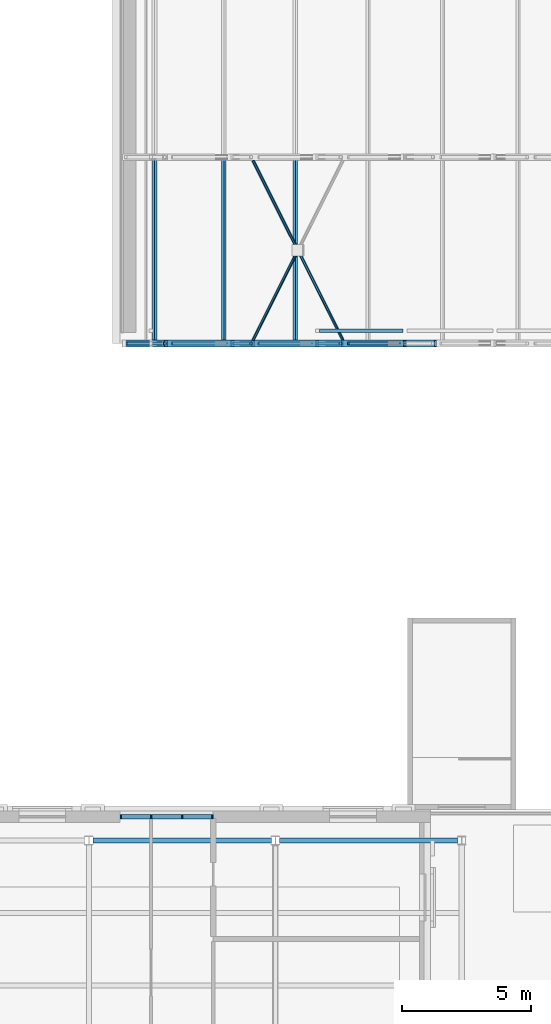
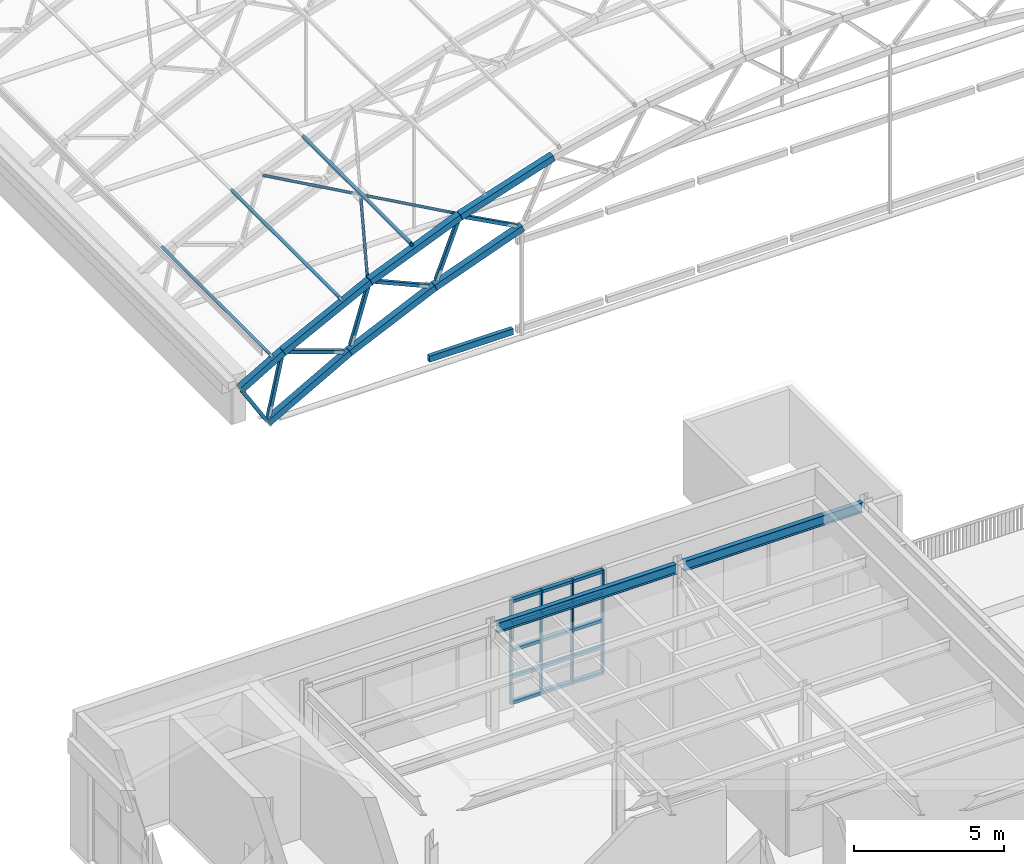
# One storey, part 6 of 127: 38 members, 3 beams, 1 element without a shape of its own.
"""IFC4 building model written with IfcOpenShell, lengths in metres."""

import ifcopenshell
import ifcopenshell.guid

model = None  # the IFC model being written
_history = None  # IfcOwnerHistory: only IFC2X3 demands one
_inside = {}  # id of a spatial element -> (the spatial element, [elements in it])
_under = {}  # id of a project, library or spatial element -> (it, [spatial elements below it])
_declared = {}  # id of a project -> (the project, [libraries it declares])
_typed = {}  # id of a type object -> (the type object, [elements of that type])
_made_of = {}  # id of a material, layer set ... -> (it, [elements and type objects made of it])


def new_model(schema):
    """Start an empty IFC model of exactly this schema.

    Asked for "IFC4X3", IfcOpenShell would pick the latest addendum, in which some entities
    have other attributes; the version numbers below select the first issue.
    IFC2X3 requires an IfcOwnerHistory on every rooted entity: one is made here for all.
    """
    global model, _history
    if schema == "IFC4X3":
        model = ifcopenshell.file(schema_version=(4, 3, 0, 0))
    else:
        model = ifcopenshell.file(schema=schema)
    _inside.clear()
    _under.clear()
    _declared.clear()
    _typed.clear()
    _made_of.clear()
    _history = None
    if model.schema == "IFC2X3":
        org = make("IfcOrganization", Name="unknown")
        user = make(
            "IfcPersonAndOrganization",
            ThePerson=make("IfcPerson", FamilyName="unknown"),
            TheOrganization=org,
        )
        app = make(
            "IfcApplication",
            ApplicationDeveloper=org,
            Version="unknown",
            ApplicationFullName="unknown",
            ApplicationIdentifier="unknown",
        )
        _history = make(
            "IfcOwnerHistory",
            OwningUser=user,
            OwningApplication=app,
            ChangeAction="ADDED",
            CreationDate=0,
        )
    return model


def make(cls, **values):
    """One entity of the class cls with the attributes given. An attribute that is None is left unset."""
    return model.create_entity(
        cls, **{name: value for name, value in values.items() if value is not None}
    )


def rooted(cls, **values):
    """An entity with a GlobalId (a new one), such as an element, a storey or a relation."""
    return make(cls, GlobalId=ifcopenshell.guid.new(), OwnerHistory=_history, **values)


def si_unit(unit_type, name, prefix=None):
    """IfcSIUnit, for example si_unit("LENGTHUNIT", "METRE", prefix="MILLI")."""
    return make("IfcSIUnit", UnitType=unit_type, Prefix=prefix, Name=name)


def assignment(units):
    """IfcUnitAssignment: the units of a project."""
    return None if units is None else make("IfcUnitAssignment", Units=units)


def point(xyz):
    """IfcCartesianPoint."""
    return None if xyz is None else make("IfcCartesianPoint", Coordinates=xyz)


def direction(xyz):
    """IfcDirection."""
    return None if xyz is None else make("IfcDirection", DirectionRatios=xyz)


def frame(location, z_axis=None, x_axis=None):
    """IfcAxis2Placement3D, a coordinate frame: its origin and axes. An axis left out is left unset."""
    return make(
        "IfcAxis2Placement3D",
        Location=point(location),
        Axis=direction(z_axis),
        RefDirection=direction(x_axis),
    )


def frame_2d(location, x_axis=None):
    """IfcAxis2Placement2D, a coordinate frame in the plane: its origin and x axis."""
    return make(
        "IfcAxis2Placement2D", Location=point(location), RefDirection=direction(x_axis)
    )


def origin():
    """The frame at (0, 0, 0) with its axes left unset."""
    return frame((0.0, 0.0, 0.0))


def origin_2d():
    """The frame at (0, 0) in the plane with its x axis left unset."""
    return frame_2d((0.0, 0.0))


def place(relative_to, where):
    """IfcLocalPlacement: puts the frame where relative to a parent placement (None: the world)."""
    return make(
        "IfcLocalPlacement", PlacementRelTo=relative_to, RelativePlacement=where
    )


def context(
    kind, dimensions, precision=None, world=None, true_north=None, identifier=None
):
    """IfcGeometricRepresentationContext, for example the 3D "Model" context."""
    return make(
        "IfcGeometricRepresentationContext",
        ContextIdentifier=identifier,
        ContextType=kind,
        CoordinateSpaceDimension=dimensions,
        Precision=precision,
        WorldCoordinateSystem=world,
        TrueNorth=true_north,
    )


def subcontext(parent, identifier, kind, view, scale=None):
    """IfcGeometricRepresentationSubContext, for example "Body" below "Model"."""
    return make(
        "IfcGeometricRepresentationSubContext",
        ContextIdentifier=identifier,
        ContextType=kind,
        ParentContext=parent,
        TargetScale=scale,
        TargetView=view,
    )


def project(units=None, contexts=None):
    """IfcProject with its units and contexts."""
    return rooted(
        "IfcProject",
        Name="project",
        RepresentationContexts=contexts,
        UnitsInContext=assignment(units),
    )


def spatial(cls, under=None, at=None, **own):
    """A site, building, storey or space (cls), placed at a placement, below another one or the project."""
    s = rooted(cls, ObjectPlacement=at, **own)
    if under is not None:
        _under.setdefault(under.id(), (under, []))[1].append(s)
    return s


def profile(cls, at=None, kind="AREA", **sizes):
    """A parametric profile (cls). Its sizes go by their IFC names, for example OverallWidth=200.0."""
    return make(cls, ProfileType=kind, Position=at, **sizes)


def rectangle(**sizes):
    """IfcRectangleProfileDef."""
    return profile("IfcRectangleProfileDef", **sizes)


def hollow_rectangle(**sizes):
    """IfcRectangleHollowProfileDef."""
    return profile("IfcRectangleHollowProfileDef", **sizes)


def hollow_circle(**sizes):
    """IfcCircleHollowProfileDef."""
    return profile("IfcCircleHollowProfileDef", **sizes)


def i_section(**sizes):
    """IfcIShapeProfileDef."""
    return profile("IfcIShapeProfileDef", **sizes)


def extrude(swept, where, along, depth):
    """IfcExtrudedAreaSolid: the profile swept, set in the frame where, extruded along a direction by depth."""
    return make(
        "IfcExtrudedAreaSolid",
        SweptArea=swept,
        Position=where,
        ExtrudedDirection=direction(along),
        Depth=depth,
    )


def shape(context_of_items, identifier, shape_type, items):
    """IfcShapeRepresentation: the items that make up one representation, for example the "Body"."""
    return make(
        "IfcShapeRepresentation",
        ContextOfItems=context_of_items,
        RepresentationIdentifier=identifier,
        RepresentationType=shape_type,
        Items=items,
    )


def material(Name=None, Category=None):
    """IfcMaterial."""
    return make("IfcMaterial", Name=Name, Category=Category)


def layer(
    of_material, thickness, ventilated=None, Name=None, Category=None, Priority=None
):
    """IfcMaterialLayer: one layer of a wall or slab, of a material (None: an air gap)."""
    return make(
        "IfcMaterialLayer",
        Material=of_material,
        LayerThickness=thickness,
        IsVentilated=ventilated,
        Name=Name,
        Category=Category,
        Priority=Priority,
    )


def layer_set(layers, Name=None):
    """IfcMaterialLayerSet."""
    return make("IfcMaterialLayerSet", MaterialLayers=layers, LayerSetName=Name)


def material_profile(
    of_material, cross_section, Name=None, Category=None, Priority=None
):
    """IfcMaterialProfile: a cross section and its material."""
    return make(
        "IfcMaterialProfile",
        Name=Name,
        Material=of_material,
        Profile=cross_section,
        Priority=Priority,
        Category=Category,
    )


def profile_set(profiles, Name=None, composite=None):
    """IfcMaterialProfileSet."""
    return make(
        "IfcMaterialProfileSet",
        Name=Name,
        MaterialProfiles=profiles,
        CompositeProfile=composite,
    )


def made_of(thing, what):
    """Note that an element or type object is made of a material, layer set ...; save() writes the relation."""
    if what is not None:
        _made_of.setdefault(what.id(), (what, []))[1].append(thing)
    return thing


def type_object(cls, material=None, **own):
    """A type object (cls), such as IfcWallType, which elements share."""
    return made_of(rooted(cls, **own), material)


def element(
    cls,
    number,
    at=None,
    inside=None,
    cuts=None,
    type_object=None,
    material=None,
    context=None,
    identifier="Body",
    shape_type=None,
    held_by="IfcProductDefinitionShape",
    body=None,
    shapes=None,
    **own,
):
    """One element of the class cls, such as IfcWall. Its Tag is "e" and its number.

    at: its placement. inside: the storey or other place that contains it. cuts: it is an
    opening in that element (IfcRelVoidsElement). A single representation is given by context,
    identifier, shape_type and body (its items); several are given by shapes. held_by: the class
    of the entity that holds the representations. save() writes the other relations.
    """
    e = rooted(cls, Tag="e%d" % number, ObjectPlacement=at, **own)
    if body is not None:
        shapes = [shape(context, identifier, shape_type, body)]
    if shapes is not None:
        e.Representation = make(held_by, Representations=shapes)
    if inside is not None:
        _inside.setdefault(inside.id(), (inside, []))[1].append(e)
    if cuts is not None:
        rooted(
            "IfcRelVoidsElement", RelatingBuildingElement=cuts, RelatedOpeningElement=e
        )
    if type_object is not None:
        _typed.setdefault(type_object.id(), (type_object, []))[1].append(e)
    return made_of(e, material)


def aggregate(whole, parts):
    """IfcRelAggregates: a whole, such as a stair, and the parts it consists of."""
    return rooted("IfcRelAggregates", RelatingObject=whole, RelatedObjects=parts)


def save(model, path):
    """Write the relations noted so far, then the file.

    IfcRelAggregates (storeys below a building ...), IfcRelContainedInSpatialStructure (elements
    in a storey), IfcRelDefinesByType, IfcRelAssociatesMaterial and IfcRelDeclares: one each for
    every whole, place, type object, material and project.
    """
    for whole, parts in _under.values():
        aggregate(whole, parts)
    for where, things in _inside.values():
        rooted(
            "IfcRelContainedInSpatialStructure",
            RelatedElements=things,
            RelatingStructure=where,
        )
    for kind, things in _typed.values():
        rooted("IfcRelDefinesByType", RelatedObjects=things, RelatingType=kind)
    for what, things in _made_of.values():
        rooted("IfcRelAssociatesMaterial", RelatedObjects=things, RelatingMaterial=what)
    for by, libraries in _declared.values():
        rooted("IfcRelDeclares", RelatingContext=by, RelatedDefinitions=libraries)
    model.write(path)


model = new_model("IFC4")

# Units and contexts
model_context = context("Model", 3, precision=1e-05, world=origin(), true_north=direction((0.0, 1.0)))
body_context = subcontext(model_context, "Body", "Model", "MODEL_VIEW")
ifc_project = project(units=[si_unit("LENGTHUNIT", "METRE"), si_unit("AREAUNIT", "SQUARE_METRE"), si_unit("VOLUMEUNIT", "CUBIC_METRE"), si_unit("PLANEANGLEUNIT", "RADIAN"), si_unit("MASSUNIT", "GRAM", prefix="KILO")], contexts=[model_context])

# Site, building, storey
site_placement = place(None, origin())
site = spatial("IfcSite", under=ifc_project, at=site_placement, CompositionType="ELEMENT")
building_placement = place(site_placement, origin())
building = spatial("IfcBuilding", under=site, at=building_placement, Name="Verrick Yard Athletic Hall", CompositionType="ELEMENT")
storey_placement = place(building_placement, frame((0.0, 0.0, 14.0)))
storey = spatial("IfcBuildingStorey", under=building, at=storey_placement, Name="L03", CompositionType="ELEMENT", Elevation=14.0)

# Curtain wall, members
ifc_material_1 = material(Name="Anodised aluminium", Category="aluminium")
ifc_layer = layer(ifc_material_1, 0.199951171875)
ifc_layer_set = layer_set([ifc_layer], Name="Front glazing")
curtain_wall_type = type_object("IfcCurtainWallType", Name="Front glazing", PredefinedType="NOTDEFINED", material=ifc_layer_set)
curtain_wall_placement = place(storey_placement, origin())
curtain_wall = element("IfcCurtainWall", 1, at=curtain_wall_placement, inside=storey, type_object=curtain_wall_type, Name="ENVB-WN-L03-CW268", PredefinedType="NOTDEFINED")
ifc_material_profile_1 = material_profile(ifc_material_1, rectangle(XDim=0.159912109375, YDim=0.06005859375, at=origin_2d()), Name="CW mullion 60x160")
ifc_profile_set_1 = profile_set([ifc_material_profile_1], Name="Anodised aluminium")
member_type_1 = type_object("IfcMemberType", Name="Front glazing mullion 60x160", PredefinedType="MULLION", material=ifc_profile_set_1)
member_1_placement = place(storey_placement, frame((26.830078125, 53.71875, 0.0), z_axis=(0.0, 0.0, 1.0), x_axis=(0.0, 1.0, 0.0)))
member_1 = element("IfcMember", 2, at=member_1_placement, type_object=member_type_1, Name="ENVB-WN-L03-CW268/M00", PredefinedType="MULLION", context=body_context, shape_type="SweptSolid", body=[
    extrude(rectangle(XDim=0.159912109375, YDim=0.06005859375, at=origin_2d()), origin(), (0.0, 0.0, 1.0), 4.25),
])
member_2_placement = place(storey_placement, frame((28.0, 53.71875, 0.0), z_axis=(0.0, 0.0, 1.0), x_axis=(0.0, 1.0, 0.0)))
member_2 = element("IfcMember", 3, at=member_2_placement, type_object=member_type_1, Name="ENVB-WN-L03-CW268/M01", PredefinedType="MULLION", context=body_context, shape_type="SweptSolid", body=[
    extrude(rectangle(XDim=0.159912109375, YDim=0.06005859375, at=origin_2d()), origin(), (0.0, 0.0, 1.0), 4.25),
])
member_3_placement = place(storey_placement, frame((29.199951171875, 53.71875, 0.0), z_axis=(0.0, 0.0, 1.0), x_axis=(0.0, 1.0, 0.0)))
member_3 = element("IfcMember", 4, at=member_3_placement, type_object=member_type_1, Name="ENVB-WN-L03-CW268/M02", PredefinedType="MULLION", context=body_context, shape_type="SweptSolid", body=[
    extrude(rectangle(XDim=0.159912109375, YDim=0.06005859375, at=origin_2d()), origin(), (0.0, 0.0, 1.0), 4.25),
])
member_4_placement = place(storey_placement, frame((30.3701171875, 53.71875, 0.0), z_axis=(0.0, 0.0, 1.0), x_axis=(0.0, 1.0, 0.0)))
member_4 = element("IfcMember", 5, at=member_4_placement, type_object=member_type_1, Name="ENVB-WN-L03-CW268/M03", PredefinedType="MULLION", context=body_context, shape_type="SweptSolid", body=[
    extrude(rectangle(XDim=0.159912109375, YDim=0.06005859375, at=origin_2d()), origin(), (0.0, 0.0, 1.0), 4.25),
])
ifc_material_profile_2 = material_profile(ifc_material_1, rectangle(XDim=0.159912109375, YDim=0.1201171875, at=origin_2d()), Name="CW transom 160x120")
ifc_profile_set_2 = profile_set([ifc_material_profile_2], Name="Anodised aluminium")
member_type_2 = type_object("IfcMemberType", Name="Front glazing transom 160x120", PredefinedType="USERDEFINED", material=ifc_profile_set_2)
member_5_placement = place(storey_placement, frame((26.860107421875, 53.71875, 0.06005859375), z_axis=(1.0, 0.0, 0.0), x_axis=(0.0, 1.0, 0.0)))
member_5 = element("IfcMember", 6, at=member_5_placement, type_object=member_type_2, Name="ENVB-WN-L03-CW268/T00-00", ObjectType="TRANSOM", PredefinedType="USERDEFINED", context=body_context, shape_type="SweptSolid", body=[
    extrude(rectangle(XDim=0.159912109375, YDim=0.1201171875, at=origin_2d()), origin(), (0.0, 0.0, 1.0), 1.10986328125),
])
member_6_placement = place(storey_placement, frame((26.860107421875, 53.71875, 1.10009765625), z_axis=(1.0, 0.0, 0.0), x_axis=(0.0, 1.0, 0.0)))
member_6 = element("IfcMember", 7, at=member_6_placement, type_object=member_type_2, Name="ENVB-WN-L03-CW268/T00-01", ObjectType="TRANSOM", PredefinedType="USERDEFINED", context=body_context, shape_type="SweptSolid", body=[
    extrude(rectangle(XDim=0.159912109375, YDim=0.1201171875, at=origin_2d()), origin(), (0.0, 0.0, 1.0), 1.10986328125),
])
member_7_placement = place(storey_placement, frame((26.860107421875, 53.71875, 2.199951171875), z_axis=(1.0, 0.0, 0.0), x_axis=(0.0, 1.0, 0.0)))
member_7 = element("IfcMember", 8, at=member_7_placement, type_object=member_type_2, Name="ENVB-WN-L03-CW268/T00-02", ObjectType="TRANSOM", PredefinedType="USERDEFINED", context=body_context, shape_type="SweptSolid", body=[
    extrude(rectangle(XDim=0.159912109375, YDim=0.1201171875, at=origin_2d()), origin(), (0.0, 0.0, 1.0), 1.10986328125),
])
member_8_placement = place(storey_placement, frame((26.860107421875, 53.71875, 3.300048828125), z_axis=(1.0, 0.0, 0.0), x_axis=(0.0, 1.0, 0.0)))
member_8 = element("IfcMember", 9, at=member_8_placement, type_object=member_type_2, Name="ENVB-WN-L03-CW268/T00-03", ObjectType="TRANSOM", PredefinedType="USERDEFINED", context=body_context, shape_type="SweptSolid", body=[
    extrude(rectangle(XDim=0.159912109375, YDim=0.1201171875, at=origin_2d()), origin(), (0.0, 0.0, 1.0), 1.10986328125),
])
member_9_placement = place(storey_placement, frame((26.860107421875, 53.71875, 4.18994140625), z_axis=(1.0, 0.0, 0.0), x_axis=(0.0, 1.0, 0.0)))
member_9 = element("IfcMember", 10, at=member_9_placement, type_object=member_type_2, Name="ENVB-WN-L03-CW268/T00-04", ObjectType="TRANSOM", PredefinedType="USERDEFINED", context=body_context, shape_type="SweptSolid", body=[
    extrude(rectangle(XDim=0.159912109375, YDim=0.1201171875, at=origin_2d()), origin(), (0.0, 0.0, 1.0), 1.10986328125),
])
member_10_placement = place(storey_placement, frame((28.030029296875, 53.71875, 0.06005859375), z_axis=(1.0, 0.0, 0.0), x_axis=(0.0, 1.0, 0.0)))
member_10 = element("IfcMember", 11, at=member_10_placement, type_object=member_type_2, Name="ENVB-WN-L03-CW268/T01-00", ObjectType="TRANSOM", PredefinedType="USERDEFINED", context=body_context, shape_type="SweptSolid", body=[
    extrude(rectangle(XDim=0.159912109375, YDim=0.1201171875, at=origin_2d()), origin(), (0.0, 0.0, 1.0), 1.139892578125),
])
member_11_placement = place(storey_placement, frame((28.030029296875, 53.71875, 1.10009765625), z_axis=(1.0, 0.0, 0.0), x_axis=(0.0, 1.0, 0.0)))
member_11 = element("IfcMember", 12, at=member_11_placement, type_object=member_type_2, Name="ENVB-WN-L03-CW268/T01-01", ObjectType="TRANSOM", PredefinedType="USERDEFINED", context=body_context, shape_type="SweptSolid", body=[
    extrude(rectangle(XDim=0.159912109375, YDim=0.1201171875, at=origin_2d()), origin(), (0.0, 0.0, 1.0), 1.139892578125),
])
member_12_placement = place(storey_placement, frame((28.030029296875, 53.71875, 2.199951171875), z_axis=(1.0, 0.0, 0.0), x_axis=(0.0, 1.0, 0.0)))
member_12 = element("IfcMember", 13, at=member_12_placement, type_object=member_type_2, Name="ENVB-WN-L03-CW268/T01-02", ObjectType="TRANSOM", PredefinedType="USERDEFINED", context=body_context, shape_type="SweptSolid", body=[
    extrude(rectangle(XDim=0.159912109375, YDim=0.1201171875, at=origin_2d()), origin(), (0.0, 0.0, 1.0), 1.139892578125),
])
member_13_placement = place(storey_placement, frame((28.030029296875, 53.71875, 3.300048828125), z_axis=(1.0, 0.0, 0.0), x_axis=(0.0, 1.0, 0.0)))
member_13 = element("IfcMember", 14, at=member_13_placement, type_object=member_type_2, Name="ENVB-WN-L03-CW268/T01-03", ObjectType="TRANSOM", PredefinedType="USERDEFINED", context=body_context, shape_type="SweptSolid", body=[
    extrude(rectangle(XDim=0.159912109375, YDim=0.1201171875, at=origin_2d()), origin(), (0.0, 0.0, 1.0), 1.139892578125),
])
member_14_placement = place(storey_placement, frame((28.030029296875, 53.71875, 4.18994140625), z_axis=(1.0, 0.0, 0.0), x_axis=(0.0, 1.0, 0.0)))
member_14 = element("IfcMember", 15, at=member_14_placement, type_object=member_type_2, Name="ENVB-WN-L03-CW268/T01-04", ObjectType="TRANSOM", PredefinedType="USERDEFINED", context=body_context, shape_type="SweptSolid", body=[
    extrude(rectangle(XDim=0.159912109375, YDim=0.1201171875, at=origin_2d()), origin(), (0.0, 0.0, 1.0), 1.139892578125),
])
member_15_placement = place(storey_placement, frame((29.22998046875, 53.71875, 0.06005859375), z_axis=(1.0, 0.0, 0.0), x_axis=(0.0, 1.0, 0.0)))
member_15 = element("IfcMember", 16, at=member_15_placement, type_object=member_type_2, Name="ENVB-WN-L03-CW268/T02-00", ObjectType="TRANSOM", PredefinedType="USERDEFINED", context=body_context, shape_type="SweptSolid", body=[
    extrude(rectangle(XDim=0.159912109375, YDim=0.1201171875, at=origin_2d()), origin(), (0.0, 0.0, 1.0), 1.110107421875),
])
member_16_placement = place(storey_placement, frame((29.22998046875, 53.71875, 1.10009765625), z_axis=(1.0, 0.0, 0.0), x_axis=(0.0, 1.0, 0.0)))
member_16 = element("IfcMember", 17, at=member_16_placement, type_object=member_type_2, Name="ENVB-WN-L03-CW268/T02-01", ObjectType="TRANSOM", PredefinedType="USERDEFINED", context=body_context, shape_type="SweptSolid", body=[
    extrude(rectangle(XDim=0.159912109375, YDim=0.1201171875, at=origin_2d()), origin(), (0.0, 0.0, 1.0), 1.110107421875),
])
member_17_placement = place(storey_placement, frame((29.22998046875, 53.71875, 2.199951171875), z_axis=(1.0, 0.0, 0.0), x_axis=(0.0, 1.0, 0.0)))
member_17 = element("IfcMember", 18, at=member_17_placement, type_object=member_type_2, Name="ENVB-WN-L03-CW268/T02-02", ObjectType="TRANSOM", PredefinedType="USERDEFINED", context=body_context, shape_type="SweptSolid", body=[
    extrude(rectangle(XDim=0.159912109375, YDim=0.1201171875, at=origin_2d()), origin(), (0.0, 0.0, 1.0), 1.110107421875),
])
member_18_placement = place(storey_placement, frame((29.22998046875, 53.71875, 3.300048828125), z_axis=(1.0, 0.0, 0.0), x_axis=(0.0, 1.0, 0.0)))
member_18 = element("IfcMember", 19, at=member_18_placement, type_object=member_type_2, Name="ENVB-WN-L03-CW268/T02-03", ObjectType="TRANSOM", PredefinedType="USERDEFINED", context=body_context, shape_type="SweptSolid", body=[
    extrude(rectangle(XDim=0.159912109375, YDim=0.1201171875, at=origin_2d()), origin(), (0.0, 0.0, 1.0), 1.110107421875),
])
member_19_placement = place(storey_placement, frame((29.22998046875, 53.71875, 4.18994140625), z_axis=(1.0, 0.0, 0.0), x_axis=(0.0, 1.0, 0.0)))
member_19 = element("IfcMember", 20, at=member_19_placement, type_object=member_type_2, Name="ENVB-WN-L03-CW268/T02-04", ObjectType="TRANSOM", PredefinedType="USERDEFINED", context=body_context, shape_type="SweptSolid", body=[
    extrude(rectangle(XDim=0.159912109375, YDim=0.1201171875, at=origin_2d()), origin(), (0.0, 0.0, 1.0), 1.110107421875),
])
aggregate(curtain_wall, [member_1, member_2, member_3, member_4, member_5, member_6, member_7, member_8, member_9, member_10, member_11, member_12, member_13, member_14, member_15, member_16, member_17, member_18, member_19])

# Members
ifc_material_2 = material(Name="Structural steel HSS Class C 350W (CSA G40.20/G40.21)", Category="steel")
ifc_material_profile_3 = material_profile(ifc_material_2, hollow_rectangle(XDim=0.25390625, YDim=0.25390625, WallThickness=0.009521484375, at=origin_2d()), Name="HSS254x254x9.5")
ifc_profile_set_3 = profile_set([ifc_material_profile_3], Name="Structural steel HSS Class C 350W (CSA G40.20/G40.21)")
member_type_3 = type_object("IfcMemberType", Name="HB bottom chord HSS254x254x9.5", PredefinedType="CHORD", material=ifc_profile_set_3)
member_20_placement = place(storey_placement, frame((28.0, 72.0, 0.0), z_axis=(0.872881488331, 0.0, 0.4879322774), x_axis=(0.0, 1.0, 0.0)))
element("IfcMember", 21, at=member_20_placement, inside=storey, type_object=member_type_3, Name="Truss TB1 bottom chord 1", PredefinedType="CHORD", context=body_context, shape_type="SweptSolid", body=[
    extrude(hollow_rectangle(XDim=0.25390625, YDim=0.25390625, WallThickness=0.009521484375, at=origin_2d()), origin(), (0.0, 0.0, 1.0), 3.60107421875),
])
member_21_placement = place(storey_placement, frame((31.15234375, 72.0, 1.761474609375), z_axis=(0.908445597889, 0.0, 0.418003104865), x_axis=(0.0, 1.0, 0.0)))
element("IfcMember", 22, at=member_21_placement, inside=storey, type_object=member_type_3, Name="Truss TB1 bottom chord 2", PredefinedType="CHORD", context=body_context, shape_type="SweptSolid", body=[
    extrude(hollow_rectangle(XDim=0.25390625, YDim=0.25390625, WallThickness=0.009521484375, at=origin_2d()), origin(), (0.0, 0.0, 1.0), 3.59619140625),
])
member_22_placement = place(storey_placement, frame((34.42822265625, 72.0, 3.2685546875), z_axis=(0.938394107905, 0.0, 0.345566922966), x_axis=(0.0, 1.0, 0.0)))
element("IfcMember", 23, at=member_22_placement, inside=storey, type_object=member_type_3, Name="Truss TB1 bottom chord 3", PredefinedType="CHORD", context=body_context, shape_type="SweptSolid", body=[
    extrude(hollow_rectangle(XDim=0.25390625, YDim=0.25390625, WallThickness=0.009521484375, at=origin_2d()), origin(), (0.0, 0.0, 1.0), 3.595947265625),
])
ifc_material_profile_4 = material_profile(ifc_material_2, hollow_rectangle(XDim=0.1015625, YDim=0.203125, WallThickness=0.009521484375, at=origin_2d()), Name="HSS203x102x9.5")
ifc_profile_set_4 = profile_set([ifc_material_profile_4], Name="Structural steel HSS Class C 350W (CSA G40.20/G40.21)")
member_type_4 = type_object("IfcMemberType", Name="HB purlin HSS203x102x9.5", PredefinedType="PURLIN", material=ifc_profile_set_4)
for number, where, z_axis, x_axis, name in (
    (24, (28.1357421875, 72.0, 2.660888671875), (0.0, 1.0, 0.0), (-0.86316809178, 0.0, -0.504916671673), "HB-PU-B-1-1"),
    (25, (30.81103515625, 72.0, 4.046875), (0.0, 1.0, 0.0), (-0.891352741199, 0.0, -0.453310369126), "HB-PU-B-1-2"),
    (26, (33.56201171875, 72.0, 5.2822265625), (0.0, 1.0, 0.0), (-0.924122791552, 0.0, -0.382095624331), "HB-PU-B-1-3"),
):
    element("IfcMember", number, at=place(storey_placement, frame(where, z_axis=z_axis, x_axis=x_axis)), inside=storey, type_object=member_type_4, Name=name, PredefinedType="PURLIN", context=body_context, shape_type="SweptSolid", body=[
        extrude(hollow_rectangle(XDim=0.1015625, YDim=0.203125, WallThickness=0.009521484375, at=origin_2d()), origin(), (0.0, 0.0, 1.0), 7.199951171875),
    ])
ifc_material_profile_5 = material_profile(ifc_material_2, hollow_circle(Radius=0.05712890625, WallThickness=0.00634765625, at=origin_2d()), Name="HSS114x6.4")
ifc_profile_set_5 = profile_set([ifc_material_profile_5], Name="Structural steel HSS Class C 350W (CSA G40.20/G40.21)")
member_type_5 = type_object("IfcMemberType", Name="HB roof brace HSS114x6.4", PredefinedType="BRACE", material=ifc_profile_set_5)
member_23_placement = place(storey_placement, frame((31.934814453125, 72.126953125, 4.362060546875), z_axis=(0.440150503414, 0.879284932949, 0.182004233557), x_axis=(-0.894220428922, 0.447626880894, 0.0)))
element("IfcMember", 27, at=member_23_placement, inside=storey, type_object=member_type_5, Name="HB-BR-B-1-1b1", PredefinedType="BRACE", context=body_context, shape_type="SweptSolid", body=[
    extrude(hollow_circle(Radius=0.05712890625, WallThickness=0.00634765625, at=origin_2d()), origin(), (0.0, 0.0, 1.0), 3.844482421875),
])
member_24_placement = place(storey_placement, frame((35.412109375, 72.126953125, 5.7998046875), z_axis=(-0.440177215443, 0.87927276252, -0.181998428824), x_axis=(-0.894207074699, -0.447653557518, 0.0)))
element("IfcMember", 28, at=member_24_placement, inside=storey, type_object=member_type_5, Name="HB-BR-B-1-1a", PredefinedType="BRACE", context=body_context, shape_type="SweptSolid", body=[
    extrude(hollow_circle(Radius=0.05712890625, WallThickness=0.00634765625, at=origin_2d()), origin(), (0.0, 0.0, 1.0), 7.899658203125),
])
ifc_material_profile_6 = material_profile(ifc_material_2, hollow_rectangle(XDim=0.25390625, YDim=0.25390625, WallThickness=0.009521484375, at=origin_2d()), Name="HSS254x254x9.5")
ifc_profile_set_6 = profile_set([ifc_material_profile_6], Name="Structural steel HSS Class C 350W (CSA G40.20/G40.21)")
member_type_6 = type_object("IfcMemberType", Name="HB top chord HSS254x254x9.5", PredefinedType="CHORD", material=ifc_profile_set_6)
member_25_placement = place(storey_placement, frame((26.95654296875, 72.0, 1.706298828125), z_axis=(0.863174775639, 0.0, 0.504905245269), x_axis=(0.0, 1.0, 0.0)))
element("IfcMember", 29, at=member_25_placement, inside=storey, type_object=member_type_6, Name="Truss TB1 top chord 1", PredefinedType="CHORD", context=body_context, shape_type="SweptSolid", body=[
    extrude(hollow_rectangle(XDim=0.25390625, YDim=0.25390625, WallThickness=0.009521484375, at=origin_2d()), origin(), (0.0, 0.0, 1.0), 1.878173828125),
])
member_26_placement = place(storey_placement, frame((28.584228515625, 72.0, 2.657958984375), z_axis=(0.891336584454, 0.0, 0.453342137037), x_axis=(0.0, 1.0, 0.0)))
element("IfcMember", 30, at=member_26_placement, inside=storey, type_object=member_type_6, Name="Truss TB1 top chord 2", PredefinedType="CHORD", context=body_context, shape_type="SweptSolid", body=[
    extrude(hollow_rectangle(XDim=0.25390625, YDim=0.25390625, WallThickness=0.009521484375, at=origin_2d()), origin(), (0.0, 0.0, 1.0), 3.754150390625),
])
for number, where, z_axis, x_axis, name in (
    (31, (31.939453125, 72.0, 4.364013671875), (0.924130129149, 0.0, 0.382077877402), (0.0, 1.0, 0.0), "Truss TB1 top chord 3"),
    (32, (35.4169921875, 72.0, 5.80126953125), (0.951202693453, 0.0, 0.308566744754), (0.0, 1.0, 0.0), "Truss TB1 top chord 4"),
):
    element("IfcMember", number, at=place(storey_placement, frame(where, z_axis=z_axis, x_axis=x_axis)), inside=storey, type_object=member_type_6, Name=name, PredefinedType="CHORD", context=body_context, shape_type="SweptSolid", body=[
        extrude(hollow_rectangle(XDim=0.25390625, YDim=0.25390625, WallThickness=0.009521484375, at=origin_2d()), origin(), (0.0, 0.0, 1.0), 3.752685546875),
    ])
ifc_material_profile_7 = material_profile(ifc_material_2, hollow_rectangle(XDim=0.126953125, YDim=0.126953125, WallThickness=0.009521484375, at=origin_2d()), Name="HSS127x127x9.5")
ifc_profile_set_7 = profile_set([ifc_material_profile_7], Name="Structural steel HSS Class C 350W (CSA G40.20/G40.21)")
member_type_7 = type_object("IfcMemberType", Name="HB truss end post HSS127x127x9.5", PredefinedType="POST", material=ifc_profile_set_7)
member_27_placement = place(storey_placement, frame((27.932373046875, 72.0, 0.110595703125), z_axis=(-0.521773101112, 0.0, 0.853084304718), x_axis=(0.0, -1.0, 0.0)))
element("IfcMember", 33, at=member_27_placement, inside=storey, type_object=member_type_7, Name="Truss TB1 end post 1", PredefinedType="POST", context=body_context, shape_type="SweptSolid", body=[
    extrude(hollow_rectangle(XDim=0.126953125, YDim=0.126953125, WallThickness=0.009521484375, at=origin_2d()), origin(), (0.0, 0.0, 1.0), 1.741943359375),
])
ifc_material_profile_8 = material_profile(ifc_material_2, hollow_rectangle(XDim=0.126953125, YDim=0.126953125, WallThickness=0.009521484375, at=origin_2d()), Name="HSS127x127x9.5")
ifc_profile_set_8 = profile_set([ifc_material_profile_8], Name="Structural steel HSS Class C 350W (CSA G40.20/G40.21)")
member_type_8 = type_object("IfcMemberType", Name="HB truss web HSS127x127x9.5", PredefinedType="BRACE", material=ifc_profile_set_8)
member_28_placement = place(storey_placement, frame((28.04833984375, 72.0, 0.220703125), z_axis=(0.213603528569, 0.0, 0.976920433087), x_axis=(0.0, 1.0, 0.0)))
element("IfcMember", 34, at=member_28_placement, inside=storey, type_object=member_type_8, Name="Truss end diagonal TB1-1", PredefinedType="BRACE", context=body_context, shape_type="SweptSolid", body=[
    extrude(hollow_rectangle(XDim=0.126953125, YDim=0.126953125, WallThickness=0.009521484375, at=origin_2d()), origin(), (0.0, 0.0, 1.0), 2.261962890625),
])
member_29_placement = place(storey_placement, frame((28.804443359375, 72.0, 2.578369140625), z_axis=(0.944015035532, 0.0, -0.329902429045), x_axis=(0.0, 1.0, 0.0)))
element("IfcMember", 35, at=member_29_placement, inside=storey, type_object=member_type_8, Name="Truss TB1 web 2", PredefinedType="BRACE", context=body_context, shape_type="SweptSolid", body=[
    extrude(hollow_rectangle(XDim=0.126953125, YDim=0.126953125, WallThickness=0.009521484375, at=origin_2d()), origin(), (0.0, 0.0, 1.0), 2.2333984375),
])
for number, where, z_axis, x_axis, name in (
    (36, (31.2197265625, 72.0, 1.99755859375), (0.289443070658, 0.0, 0.957195230268), (0.0, 1.0, 0.0), "Truss TB1 web 3"),
    (37, (32.151611328125, 72.0, 4.2666015625), (0.915297302882, 0.0, -0.402778906272), (0.0, 1.0, 0.0), "Truss TB1 web 4"),
    (38, (34.513916015625, 72.0, 3.49853515625), (0.363632709383, 0.0, 0.93154240519), (0.0, 1.0, 0.0), "Truss TB1 web 5"),
    (39, (35.620849609375, 72.0, 5.687744140625), (0.880902446091, 0.0, -0.473297877103), (0.0, 1.0, 0.0), "Truss TB1 web 6"),
):
    element("IfcMember", number, at=place(storey_placement, frame(where, z_axis=z_axis, x_axis=x_axis)), inside=storey, type_object=member_type_8, Name=name, PredefinedType="BRACE", context=body_context, shape_type="SweptSolid", body=[
        extrude(hollow_rectangle(XDim=0.126953125, YDim=0.126953125, WallThickness=0.009521484375, at=origin_2d()), origin(), (0.0, 0.0, 1.0), 2.233642578125),
    ])

# Beams
ifc_material_profile_9 = material_profile(ifc_material_2, hollow_rectangle(XDim=0.15234375, YDim=0.25390625, WallThickness=0.009521484375, at=origin_2d()), Name="HSS254x152x9.5")
ifc_profile_set_9 = profile_set([ifc_material_profile_9], Name="Structural steel HSS Class C 350W (CSA G40.20/G40.21)")
beam_type_1 = type_object("IfcBeamType", Name="HB wind girder HSS254x152x9.5", PredefinedType="BEAM", material=ifc_profile_set_9)
beam_1_placement = place(storey_placement, frame((34.499755859375, 72.49462890625, 0.0), z_axis=(1.0, 0.0, 0.0), x_axis=(0.0, 1.0, 0.0)))
element("IfcBeam", 40, at=beam_1_placement, inside=storey, type_object=beam_type_1, Name="HB-WG-BS-140-1", PredefinedType="BEAM", context=body_context, shape_type="SweptSolid", body=[
    extrude(hollow_rectangle(XDim=0.15234375, YDim=0.25390625, WallThickness=0.009521484375, at=origin_2d()), origin(), (0.0, 0.0, 1.0), 3.2314453125),
])
ifc_material_3 = material(Name="Structural steel 350W (CSA G40.21)", Category="steel")
ifc_material_profile_10 = material_profile(ifc_material_3, i_section(OverallWidth=0.177978515625, OverallDepth=0.406982421875, WebThickness=0.0078125, FlangeThickness=0.0126953125, at=origin_2d()), Name="W410x60")
ifc_profile_set_10 = profile_set([ifc_material_profile_10], Name="Structural steel 350W (CSA G40.21)")
beam_type_2 = type_object("IfcBeamType", Name="STR Wing floor beam W410x60", PredefinedType="BEAM", material=ifc_profile_set_10)
beam_2_placement = place(storey_placement, frame((25.75439453125, 52.800048828125, 4.04638671875), z_axis=(1.0, 0.0, 0.0), x_axis=(0.0, 1.0, 0.0)))
element("IfcBeam", 41, at=beam_2_placement, inside=storey, type_object=beam_type_2, Name="STR-B-W184-52.8-2", PredefinedType="BEAM", context=body_context, shape_type="SweptSolid", body=[
    extrude(i_section(OverallWidth=0.177978515625, OverallDepth=0.406982421875, WebThickness=0.0078125, FlangeThickness=0.0126953125, at=origin_2d()), origin(), (0.0, 0.0, 1.0), 6.89111328125),
])
beam_3_placement = place(storey_placement, frame((32.95458984375, 52.800048828125, 4.04638671875), z_axis=(1.0, 0.0, 0.0), x_axis=(0.0, 1.0, 0.0)))
element("IfcBeam", 42, at=beam_3_placement, inside=storey, type_object=beam_type_2, Name="STR-B-W184-52.8-3", PredefinedType="BEAM", context=body_context, shape_type="SweptSolid", body=[
    extrude(i_section(OverallWidth=0.177978515625, OverallDepth=0.406982421875, WebThickness=0.0078125, FlangeThickness=0.0126953125, at=origin_2d()), origin(), (0.0, 0.0, 1.0), 6.890869140625),
])

save(model, "model.ifc")
